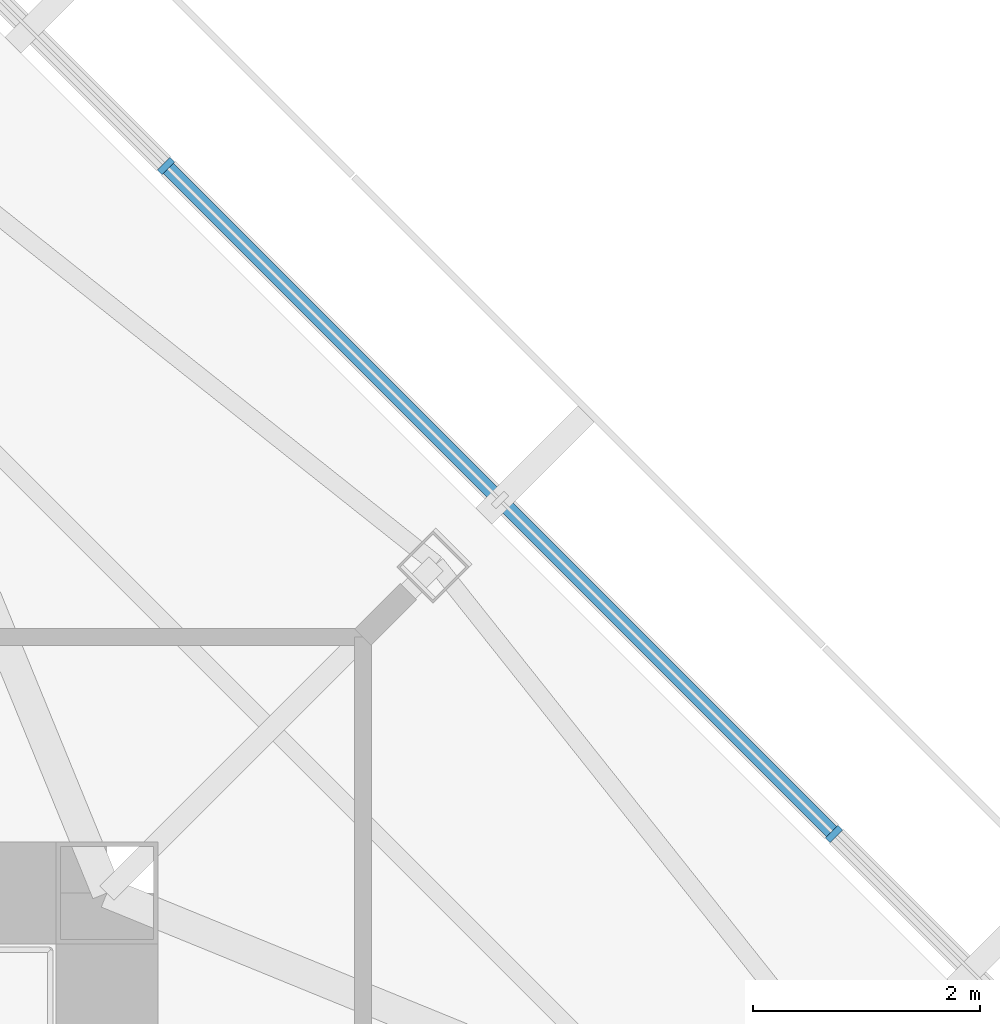
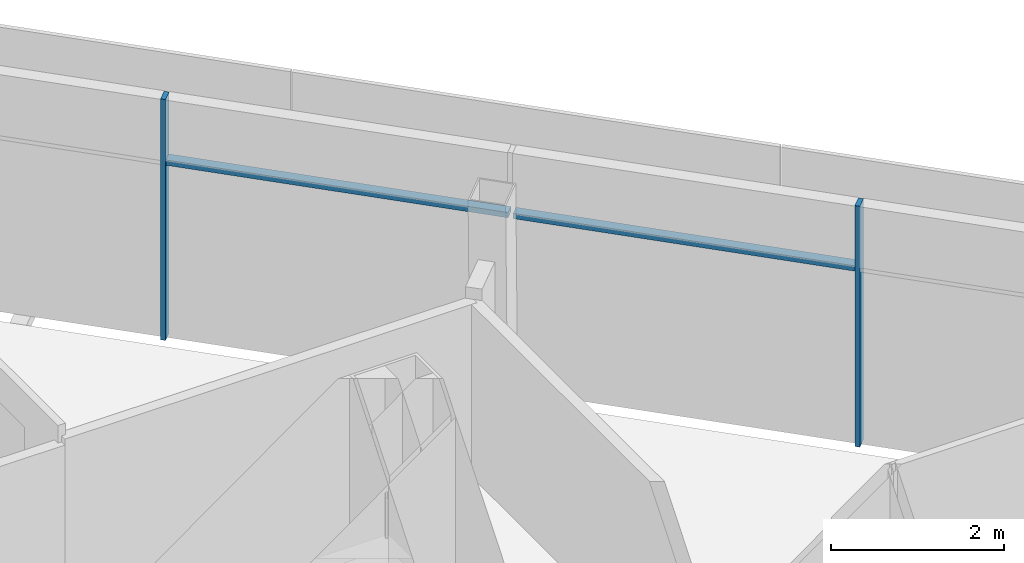
# One storey, part 7 of 15: 4 members, 1 element without a shape of its own.
"""IFC4 building model written with IfcOpenShell, lengths in metres."""

from ifc_helpers import new_model, si_unit, direction, frame, origin, origin_2d, place, context, subcontext, project, spatial, rectangle, extrude, source, transform, mapped, material, material_profile, profile_set, type_object, type_shapes, element, aggregate, save


model = new_model("IFC4")

# Units and contexts
model_context = context("Model", 3, precision=1e-05, world=origin(), true_north=direction((0.0, 1.0)))
body_context = subcontext(model_context, "Body", "Model", "MODEL_VIEW")
ifc_project = project(units=[si_unit("LENGTHUNIT", "METRE"), si_unit("AREAUNIT", "SQUARE_METRE"), si_unit("VOLUMEUNIT", "CUBIC_METRE"), si_unit("PLANEANGLEUNIT", "RADIAN"), si_unit("MASSUNIT", "GRAM", prefix="KILO")], contexts=[model_context])

# Site, building, storey
site_placement = place(None, origin())
site = spatial("IfcSite", under=ifc_project, at=site_placement, CompositionType="ELEMENT")
building_placement = place(site_placement, origin())
building = spatial("IfcBuilding", under=site, at=building_placement, Name="Mashrafa Tower", CompositionType="ELEMENT")
storey_placement = place(building_placement, frame((0.0, 0.0, 277.60009765625)))
storey = spatial("IfcBuildingStorey", under=building, at=storey_placement, Name="L67", CompositionType="ELEMENT", Elevation=277.60009765625)

# Curtain wall, members
ifc_material_1 = material(Name="Unitised aluminium curtain wall", Category="aluminium")
curtain_wall_type = type_object("IfcCurtainWallType", Name="Apartment curtain wall, zone 4 CW-D 160 deep", PredefinedType="NOTDEFINED", material=ifc_material_1)
curtain_wall_placement = place(storey_placement, origin())
curtain_wall = element("IfcCurtainWall", 1, at=curtain_wall_placement, inside=storey, type_object=curtain_wall_type, Name="Apartment curtain wall, zone 4 L67 north-east", PredefinedType="NOTDEFINED")
ifc_material_2 = material(Name="Extruded aluminium mullion", Category="aluminium")
ifc_material_profile_1 = material_profile(ifc_material_2, rectangle(XDim=0.159912109375, YDim=0.06005859375, at=origin_2d()), Name="Mullion 60x160")
ifc_profile_set_1 = profile_set([ifc_material_profile_1], Name="Extruded aluminium mullion")
member_type_1 = type_object("IfcMemberType", Name="Mullion CW-D 60 x 160", PredefinedType="MULLION", material=ifc_profile_set_1)
shared_shape_1 = source(origin(), body_context, "Body", "SweptSolid", [
    extrude(rectangle(XDim=0.159912109375, YDim=0.06005859375, at=origin_2d()), origin(), (0.0, 0.0, 1.0), 3.39990234375),
])
type_shapes(member_type_1, [shared_shape_1])
member_1_placement = place(storey_placement, frame((17.19384765625, 11.319091796875, 0.0), z_axis=(0.0, 0.0, 1.0), x_axis=(-0.707106781187, -0.707106781187, 0.0)))
member_1 = element("IfcMember", 2, at=member_1_placement, type_object=member_type_1, Name="CW-D mullion 2", PredefinedType="MULLION", context=body_context, shape_type="MappedRepresentation", body=[
    mapped(shared_shape_1, transform((0.0, 0.0, 0.0))),
])
member_2_placement = place(storey_placement, frame((11.319091796875, 17.19384765625, 0.0), z_axis=(0.0, 0.0, 1.0), x_axis=(-0.707106781187, -0.707106781187, 0.0)))
member_2 = element("IfcMember", 3, at=member_2_placement, type_object=member_type_1, Name="CW-D mullion 4", PredefinedType="MULLION", context=body_context, shape_type="MappedRepresentation", body=[
    mapped(shared_shape_1, transform((0.0, 0.0, 0.0))),
])
ifc_material_3 = material(Name="Extruded aluminium transom", Category="aluminium")
ifc_material_profile_2 = material_profile(ifc_material_3, rectangle(XDim=0.1279296875, YDim=0.074951171875, at=origin_2d()), Name="Transom 75x128")
ifc_profile_set_2 = profile_set([ifc_material_profile_2], Name="Extruded aluminium transom")
member_type_2 = type_object("IfcMemberType", Name="Transom CW-D 75 x 128", PredefinedType="MULLION", material=ifc_profile_set_2)
shared_shape_2 = source(origin(), body_context, "Body", "SweptSolid", [
    extrude(rectangle(XDim=0.1279296875, YDim=0.074951171875, at=origin_2d()), origin(), (0.0, 0.0, 1.0), 4.093994140625),
])
type_shapes(member_type_2, [shared_shape_2])
member_3_placement = place(storey_placement, frame((17.172607421875, 11.34033203125, 2.5), z_axis=(-0.7070769637, 0.707136597416, 0.0), x_axis=(-0.707136597416, -0.7070769637, 0.0)))
member_3 = element("IfcMember", 4, at=member_3_placement, type_object=member_type_2, Name="CW-D transom 2", PredefinedType="MULLION", context=body_context, shape_type="MappedRepresentation", body=[
    mapped(shared_shape_2, transform((0.0, 0.0, 0.0))),
])
member_4_placement = place(storey_placement, frame((14.2353515625, 14.27783203125, 2.5), z_axis=(-0.707136597416, 0.7070769637, 0.0), x_axis=(-0.7070769637, -0.707136597416, 0.0)))
member_4 = element("IfcMember", 5, at=member_4_placement, type_object=member_type_2, Name="CW-D transom 3", PredefinedType="MULLION", context=body_context, shape_type="MappedRepresentation", body=[
    mapped(shared_shape_2, transform((0.0, 0.0, 0.0))),
])
aggregate(curtain_wall, [member_1, member_2, member_3, member_4])

save(model, "model.ifc")
